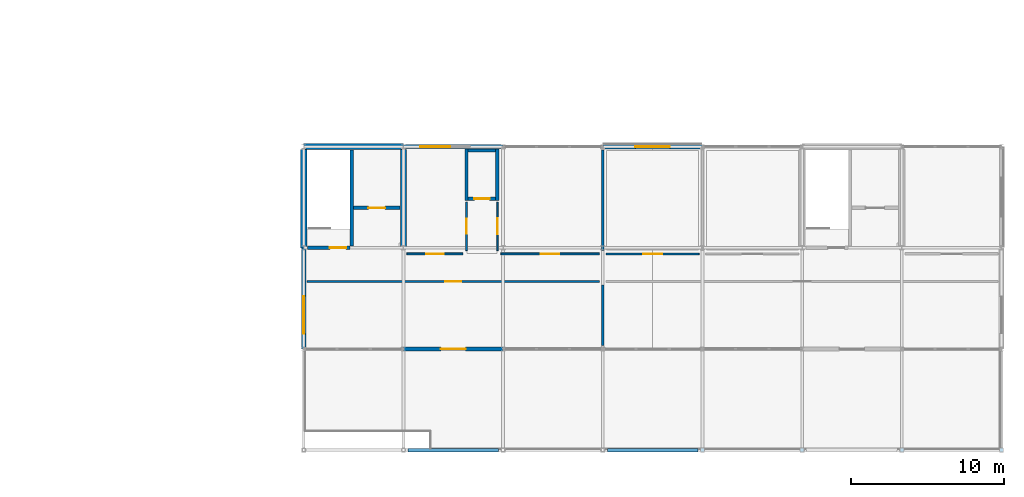
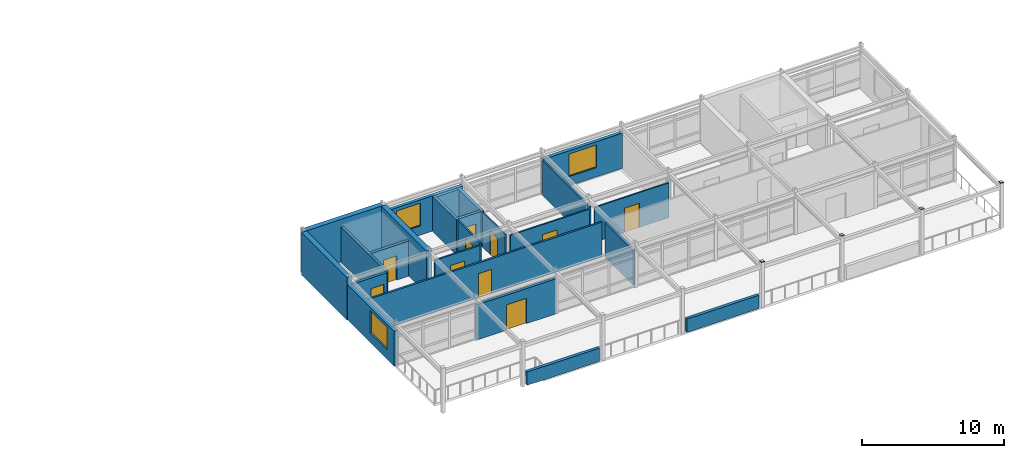
# One storey, part 15 of 20: 24 walls, 10 doors, 4 plates, 3 windows, 13 openings.
"""IFC4 building model written with IfcOpenShell, lengths in metres."""

from ifc_helpers import new_model, si_unit, direction, frame, frame_2d, origin, origin_2d, place, context, subcontext, project, spatial, rectangle, extrude, material, layer, layer_set, type_object, element, fill, save


model = new_model("IFC4")

# Units and contexts
model_context = context("Model", 3, precision=1e-05, world=origin(), true_north=direction((0.0, 1.0)))
body_context = subcontext(model_context, "Body", "Model", "MODEL_VIEW")
ifc_project = project(units=[si_unit("LENGTHUNIT", "METRE"), si_unit("AREAUNIT", "SQUARE_METRE"), si_unit("VOLUMEUNIT", "CUBIC_METRE"), si_unit("PLANEANGLEUNIT", "RADIAN"), si_unit("MASSUNIT", "GRAM", prefix="KILO")], contexts=[model_context])

# Site, building, storey
site_placement = place(None, origin())
site = spatial("IfcSite", under=ifc_project, at=site_placement, CompositionType="ELEMENT")
building_placement = place(site_placement, origin())
building = spatial("IfcBuilding", under=site, at=building_placement, Name="Trelmorton Wharf Fire Station", CompositionType="ELEMENT")
storey_placement = place(building_placement, frame((0.0, 0.0, 21.300048828125)))
storey = spatial("IfcBuildingStorey", under=building, at=storey_placement, Name="L05", CompositionType="ELEMENT", Elevation=21.300048828125)

# Plates
ifc_material_1 = material(Name="Steel Grade 350", Category="steel")
ifc_layer_1 = layer(ifc_material_1, 0.02001953125)
ifc_layer_set_1 = layer_set([ifc_layer_1], Name="Steel Grade 350")
plate_type = type_object("IfcPlateType", Name="PL_ENDCAP_20", PredefinedType="SHEET", material=ifc_layer_set_1)
for number, where, z_axis, x_axis, name in (
    (1, (136.5, 7.800048828125, 3.89794921875), (0.0, 0.0, 1.0), (1.0, 0.0, 0.0), "PL-COLCAP-T-0778"),
    (2, (143.0, 7.800048828125, 3.89794921875), (0.0, 0.0, 1.0), (1.0, 0.0, 0.0), "PL-COLCAP-T-0782"),
    (3, (149.5, 7.800048828125, 3.89794921875), (0.0, 0.0, 1.0), (1.0, 0.0, 0.0), "PL-COLCAP-T-0786"),
    (4, (156.0, 7.800048828125, 3.89794921875), (0.0, 0.0, 1.0), (1.0, 0.0, 0.0), "PL-COLCAP-T-0790"),
):
    element("IfcPlate", number, at=place(storey_placement, frame(where, z_axis=z_axis, x_axis=x_axis)), inside=storey, type_object=plate_type, Name=name, PredefinedType="SHEET", context=body_context, shape_type="SweptSolid", body=[
        extrude(rectangle(XDim=0.27001953125, YDim=0.27001953125, at=origin_2d()), origin(), (0.0, 0.0, 1.0), 0.02392578125),
    ])

# Walls
ifc_material_2 = material(Name="Signal-red architectural steel Grade 350", Category="steel")
ifc_layer_2 = layer(ifc_material_2, 0.239990234375)
ifc_layer_set_2 = layer_set([ifc_layer_2], Name="Signal-red architectural steel Grade 350")
wall_type_1 = type_object("IfcWallType", Name="EW_PARA_RED", PredefinedType="PARAPET", material=ifc_layer_set_2)
for number, where, z_axis, x_axis, name in (
    (5, (123.199951171875, 7.800048828125, 0.0), (0.0, 0.0, 1.0), (-1.0, 0.0, 0.0), "WL-PARA-NOTCH-01"),
    (6, (136.199951171875, 7.800048828125, 0.0), (0.0, 0.0, 1.0), (-1.0, 0.0, 0.0), "WL-PARA-NOTCH-02"),
):
    element("IfcWall", number, at=place(storey_placement, frame(where, z_axis=z_axis, x_axis=x_axis)), inside=storey, type_object=wall_type_1, Name=name, PredefinedType="PARAPET", context=body_context, shape_type="SweptSolid", body=[
        extrude(rectangle(XDim=5.89990234375, YDim=0.239990234375, at=frame_2d((2.949951171875, 0.0))), origin(), (0.0, 0.0, 1.0), 1.14990234375),
    ])

# Wall, opening, door
ifc_material_3 = material(Name="Precast concrete 45 MPa", Category="concrete")
ifc_layer_3 = layer(ifc_material_3, 0.22998046875)
ifc_layer_set_3 = layer_set([ifc_layer_3], Name="Precast concrete 45 MPa")
wall_type_2 = type_object("IfcWallType", Name="EW_PREC_230", PredefinedType="SOLIDWALL", material=ifc_layer_set_3)
wall_1_placement = place(storey_placement, frame((123.4951171875, 14.39990234375, 0.0), z_axis=(0.0, 0.0, 1.0), x_axis=(-1.0, 0.0, 0.0)))
wall_1 = element("IfcWall", 7, at=wall_1_placement, inside=storey, type_object=wall_type_2, Name="EW-V5-L05-0114", PredefinedType="SOLIDWALL", context=body_context, shape_type="SweptSolid", body=[
    extrude(rectangle(XDim=6.490234375, YDim=0.22998046875, at=frame_2d((3.2451171875, 0.0))), origin(), (0.0, 0.0, 1.0), 3.02001953125),
])
opening_1_placement = place(wall_1_placement, frame((2.43505859375, 0.0, 0.0)))
opening_1 = element("IfcOpeningElement", 8, at=opening_1_placement, cuts=wall_1, Name="Opening TD-019", PredefinedType="OPENING", context=body_context, shape_type="SweptSolid", body=[
    extrude(rectangle(XDim=1.6201171875, YDim=2.179931640625, at=frame_2d((0.81005859375, 1.08984375))), frame((0.0, 0.125, 0.0), z_axis=(0.0, -1.0, 0.0), x_axis=(1.0, 0.0, 0.0)), (0.0, 0.0, 1.0), 0.25),
])
ifc_material_4 = material(Name="Anodised aluminium AW-6063", Category="aluminium")
door_type_1 = type_object("IfcDoorType", Name="DR_TER_DBL_162", OperationType="DOUBLE_DOOR_SINGLE_SWING", PredefinedType="DOOR", material=ifc_material_4)
door_1_placement = place(opening_1_placement, origin())
door_1 = element("IfcDoor", 9, at=door_1_placement, inside=storey, type_object=door_type_1, Name="Terrace Door TD-019", OperationType="DOUBLE_DOOR_SINGLE_SWING", OverallHeight=2.179931640625, OverallWidth=1.6201171875, PredefinedType="DOOR", context=body_context, shape_type="SweptSolid", body=[
    extrude(rectangle(XDim=1.6201171875, YDim=2.179931640625, at=frame_2d((0.81005859375, 1.08984375))), frame((0.0, 0.02490234375, 0.0), z_axis=(0.0, -1.0, 0.0), x_axis=(1.0, 0.0, 0.0)), (0.0, 0.0, 1.0), 0.050048828125),
])
fill(opening_1, door_1)

# Wall, opening, window
ifc_layer_4 = layer(ifc_material_3, 0.27001953125)
ifc_layer_set_4 = layer_set([ifc_layer_4], Name="Precast concrete 45 MPa")
wall_type_3 = type_object("IfcWallType", Name="EW_PREC_270", PredefinedType="SOLIDWALL", material=ifc_layer_set_4)
wall_2_placement = place(storey_placement, frame((117.0048828125, 27.60009765625, 0.0), z_axis=(0.0, 0.0, 1.0), x_axis=(1.0, 0.0, 0.0)))
wall_2 = element("IfcWall", 10, at=wall_2_placement, inside=storey, type_object=wall_type_3, Name="EW-V5-L05-0116", PredefinedType="SOLIDWALL", context=body_context, shape_type="SweptSolid", body=[
    extrude(rectangle(XDim=6.490234375, YDim=0.27001953125, at=frame_2d((3.2451171875, 0.0))), origin(), (0.0, 0.0, 1.0), 3.02001953125),
])
opening_2_placement = place(wall_2_placement, frame((1.08740234375, 0.0, 0.800048828125)))
opening_2 = element("IfcOpeningElement", 11, at=opening_2_placement, cuts=wall_2, Name="Opening W46", PredefinedType="OPENING", context=body_context, shape_type="SweptSolid", body=[
    extrude(rectangle(XDim=1.949951171875, YDim=1.949951171875, at=frame_2d((0.97509765625, 0.97509765625))), frame((0.0, 0.14501953125, 0.0), z_axis=(0.0, -1.0, 0.0), x_axis=(1.0, 0.0, 0.0)), (0.0, 0.0, 1.0), 0.2900390625),
])
ifc_material_5 = material(Name="Tempered low-E double glazing", Category="glass")
window_type_1 = type_object("IfcWindowType", Name="WIN_W46", PartitioningType="DOUBLE_PANEL_VERTICAL", PredefinedType="WINDOW", material=ifc_material_5)
window_1_placement = place(opening_2_placement, origin())
window_1 = element("IfcWindow", 12, at=window_1_placement, inside=storey, type_object=window_type_1, Name="WN-V5-L05-0060", OverallHeight=1.949951171875, OverallWidth=1.949951171875, PartitioningType="DOUBLE_PANEL_VERTICAL", PredefinedType="WINDOW", context=body_context, shape_type="SweptSolid", body=[
    extrude(rectangle(XDim=1.949951171875, YDim=1.949951171875, at=frame_2d((0.97509765625, 0.97509765625))), frame((0.0, 0.030029296875, 0.0), z_axis=(0.0, -1.0, 0.0), x_axis=(1.0, 0.0, 0.0)), (0.0, 0.0, 1.0), 0.06005859375),
])
fill(opening_2, window_1)

ifc_layer_5 = layer(ifc_material_3, 0.2900390625)
ifc_layer_set_5 = layer_set([ifc_layer_5], Name="Precast concrete 45 MPa")
wall_type_4 = type_object("IfcWallType", Name="EW_TERR_290", PredefinedType="SOLIDWALL", material=ifc_layer_set_5)
wall_3_placement = place(storey_placement, frame((130.0048828125, 27.60009765625, 0.0), z_axis=(0.0, 0.0, 1.0), x_axis=(1.0, 0.0, 0.0)))
wall_3 = element("IfcWall", 13, at=wall_3_placement, inside=storey, type_object=wall_type_4, Name="EW-V5-L05-0117", PredefinedType="SOLIDWALL", context=body_context, shape_type="SweptSolid", body=[
    extrude(rectangle(XDim=6.490234375, YDim=0.2900390625, at=frame_2d((3.2451171875, 0.0))), origin(), (0.0, 0.0, 1.0), 3.02001953125),
])
opening_3_placement = place(wall_3_placement, frame((2.1201171875, 0.0, 0.800048828125)))
opening_3 = element("IfcOpeningElement", 14, at=opening_3_placement, cuts=wall_3, Name="Opening W47", PredefinedType="OPENING", context=body_context, shape_type="SweptSolid", body=[
    extrude(rectangle(XDim=2.25, YDim=1.949951171875, at=frame_2d((1.125, 0.97509765625))), frame((0.0, 0.155029296875, 0.0), z_axis=(0.0, -1.0, 0.0), x_axis=(1.0, 0.0, 0.0)), (0.0, 0.0, 1.0), 0.31005859375),
])
window_type_2 = type_object("IfcWindowType", Name="WIN_W47", PartitioningType="DOUBLE_PANEL_VERTICAL", PredefinedType="WINDOW", material=ifc_material_5)
window_2_placement = place(opening_3_placement, origin())
window_2 = element("IfcWindow", 15, at=window_2_placement, inside=storey, type_object=window_type_2, Name="WN-V5-L05-0061", OverallHeight=1.949951171875, OverallWidth=2.25, PartitioningType="DOUBLE_PANEL_VERTICAL", PredefinedType="WINDOW", context=body_context, shape_type="SweptSolid", body=[
    extrude(rectangle(XDim=2.25, YDim=1.949951171875, at=frame_2d((1.125, 0.97509765625))), frame((0.0, 0.030029296875, 0.0), z_axis=(0.0, -1.0, 0.0), x_axis=(1.0, 0.0, 0.0)), (0.0, 0.0, 1.0), 0.06005859375),
])
fill(opening_3, window_2)

ifc_layer_6 = layer(ifc_material_3, 0.31005859375)
ifc_layer_set_6 = layer_set([ifc_layer_6], Name="Precast concrete 45 MPa")
wall_type_5 = type_object("IfcWallType", Name="EW_TERR_310", PredefinedType="SOLIDWALL", material=ifc_layer_set_6)
wall_4_placement = place(storey_placement, frame((110.5, 14.405029296875, 0.0), z_axis=(0.0, 0.0, 1.0), x_axis=(0.0, 1.0, 0.0)))
wall_4 = element("IfcWall", 16, at=wall_4_placement, inside=storey, type_object=wall_type_5, Name="EW-V5-L05-0118", PredefinedType="SOLIDWALL", context=body_context, shape_type="SweptSolid", body=[
    extrude(rectangle(XDim=6.590087890625, YDim=0.31005859375, at=frame_2d((3.294921875, 0.0))), origin(), (0.0, 0.0, 1.0), 3.02001953125),
])
opening_4_placement = place(wall_4_placement, frame((0.987548828125, 0.0, 0.800048828125)))
opening_4 = element("IfcOpeningElement", 17, at=opening_4_placement, cuts=wall_4, Name="Opening W48", PredefinedType="OPENING", context=body_context, shape_type="SweptSolid", body=[
    extrude(rectangle(XDim=2.449951171875, YDim=1.949951171875, at=frame_2d((1.22509765625, 0.97509765625))), frame((0.0, 0.1650390625, 0.0), z_axis=(0.0, -1.0, 0.0), x_axis=(1.0, 0.0, 0.0)), (0.0, 0.0, 1.0), 0.330078125),
])
window_type_3 = type_object("IfcWindowType", Name="WIN_W48", PartitioningType="TRIPLE_PANEL_VERTICAL", PredefinedType="WINDOW", material=ifc_material_5)
window_3_placement = place(opening_4_placement, origin())
window_3 = element("IfcWindow", 18, at=window_3_placement, inside=storey, type_object=window_type_3, Name="WN-V5-L05-0062", OverallHeight=1.949951171875, OverallWidth=2.449951171875, PartitioningType="TRIPLE_PANEL_VERTICAL", PredefinedType="WINDOW", context=body_context, shape_type="SweptSolid", body=[
    extrude(rectangle(XDim=2.449951171875, YDim=1.949951171875, at=frame_2d((1.22509765625, 0.97509765625))), frame((0.0, 0.030029296875, 0.0), z_axis=(0.0, -1.0, 0.0), x_axis=(1.0, 0.0, 0.0)), (0.0, 0.0, 1.0), 0.06005859375),
])
fill(opening_4, window_3)

# Wall, opening, door
ifc_material_6 = material(Name="Gypsum plasterboard partition")
ifc_layer_7 = layer(ifc_material_6, 0.14990234375)
ifc_layer_set_7 = layer_set([ifc_layer_7], Name="Gypsum plasterboard partition")
wall_type_6 = type_object("IfcWallType", Name="IW_ACOU_150", PredefinedType="PARTITIONING", material=ifc_layer_set_7)
wall_5_placement = place(storey_placement, frame((110.719970703125, 18.800048828125, 0.0), z_axis=(0.0, 0.0, 1.0), x_axis=(1.0, 0.0, 0.0)))
wall_5 = element("IfcWall", 19, at=wall_5_placement, inside=storey, type_object=wall_type_6, Name="IW-L05-0247", PredefinedType="PARTITIONING", context=body_context, shape_type="SweptSolid", body=[
    extrude(rectangle(XDim=19.06005859375, YDim=0.14990234375, at=frame_2d((9.530029296875, 0.0))), origin(), (0.0, 0.0, 1.0), 3.0),
])
opening_5_placement = place(wall_5_placement, frame((8.9951171875, 0.0, 0.0)))
opening_5 = element("IfcOpeningElement", 20, at=opening_5_placement, cuts=wall_5, Name="Opening D-167", PredefinedType="OPENING", context=body_context, shape_type="SweptSolid", body=[
    extrude(rectangle(XDim=1.070068359375, YDim=2.080078125, at=frame_2d((0.53515625, 1.0400390625))), frame((0.0, 0.0849609375, 0.0), z_axis=(0.0, -1.0, 0.0), x_axis=(1.0, 0.0, 0.0)), (0.0, 0.0, 1.0), 0.169921875),
])
ifc_material_7 = material(Name="Acoustic timber panelling", Category="wood")
door_type_2 = type_object("IfcDoorType", Name="DR_INT_107", OperationType="NOTDEFINED", PredefinedType="DOOR", material=ifc_material_7)
door_2_placement = place(opening_5_placement, origin())
door_2 = element("IfcDoor", 21, at=door_2_placement, inside=storey, type_object=door_type_2, Name="Interior Door D-167", OperationType="SINGLE_SWING_LEFT", OverallHeight=2.080078125, OverallWidth=1.070068359375, PredefinedType="DOOR", context=body_context, shape_type="SweptSolid", body=[
    extrude(rectangle(XDim=1.070068359375, YDim=2.080078125, at=frame_2d((0.53515625, 1.0400390625))), frame((0.0, 0.02490234375, 0.0), z_axis=(0.0, -1.0, 0.0), x_axis=(1.0, 0.0, 0.0)), (0.0, 0.0, 1.0), 0.050048828125),
])
fill(opening_5, door_2)

# Walls
wall_6_placement = place(storey_placement, frame((130.0, 20.820068359375, 0.0), z_axis=(0.0, 0.0, 1.0), x_axis=(0.0, 1.0, 0.0)))
element("IfcWall", 22, at=wall_6_placement, inside=storey, type_object=wall_type_6, Name="IW-L05-0254", PredefinedType="PARTITIONING", context=body_context, shape_type="SweptSolid", body=[
    extrude(rectangle(XDim=6.559814453125, YDim=0.14990234375, at=frame_2d((3.27978515625, 0.0))), origin(), (0.0, 0.0, 1.0), 3.0),
])
ifc_layer_8 = layer(ifc_material_6, 0.159912109375)
ifc_layer_set_8 = layer_set([ifc_layer_8], Name="Gypsum plasterboard partition")
wall_type_7 = type_object("IfcWallType", Name="IW_ACOU_160", PredefinedType="PARTITIONING", material=ifc_layer_set_8)
wall_7_placement = place(storey_placement, frame((130.0, 14.6201171875, 0.0), z_axis=(0.0, 0.0, 1.0), x_axis=(0.0, 1.0, 0.0)))
element("IfcWall", 23, at=wall_7_placement, inside=storey, type_object=wall_type_7, Name="IW-L05-0246", PredefinedType="PARTITIONING", context=body_context, shape_type="SweptSolid", body=[
    extrude(rectangle(XDim=3.9599609375, YDim=0.159912109375, at=frame_2d((1.97998046875, 0.0))), origin(), (0.0, 0.0, 1.0), 3.0),
])
ifc_material_8 = material(Name="Concrete 40 MPa", Category="concrete")
ifc_layer_9 = layer(ifc_material_8, 0.219970703125)
ifc_layer_set_9 = layer_set([ifc_layer_9], Name="Concrete 40 MPa")
wall_type_8 = type_object("IfcWallType", Name="IW_CORE_220", PredefinedType="SOLIDWALL", material=ifc_layer_set_9)
wall_8_placement = place(storey_placement, frame((113.6201171875, 21.1201171875, 0.0), z_axis=(0.0, 0.0, 1.0), x_axis=(0.0, 1.0, 0.0)))
element("IfcWall", 24, at=wall_8_placement, inside=storey, type_object=wall_type_8, Name="IW-C3-DIV-L05", PredefinedType="SOLIDWALL", context=body_context, shape_type="SweptSolid", body=[
    extrude(rectangle(XDim=6.2548828125, YDim=0.219970703125, at=frame_2d((3.12744140625, 0.0))), origin(), (0.0, 0.0, 1.0), 3.02001953125),
])

# Wall, opening, door
wall_9_placement = place(storey_placement, frame((110.760009765625, 21.0, 0.0), z_axis=(0.0, 0.0, 1.0), x_axis=(1.0, 0.0, 0.0)))
wall_9 = element("IfcWall", 25, at=wall_9_placement, inside=storey, type_object=wall_type_8, Name="IW-C3-SF-L05", PredefinedType="SOLIDWALL", context=body_context, shape_type="SweptSolid", body=[
    extrude(rectangle(XDim=2.739990234375, YDim=0.219970703125, at=frame_2d((1.3701171875, 0.0))), origin(), (0.0, 0.0, 1.0), 3.02001953125),
])
opening_6_placement = place(wall_9_placement, frame((1.43994140625, 0.0, 0.0)))
opening_6 = element("IfcOpeningElement", 26, at=opening_6_placement, cuts=wall_9, Name="Opening FD-016", PredefinedType="OPENING", context=body_context, shape_type="SweptSolid", body=[
    extrude(rectangle(XDim=1.06005859375, YDim=2.10009765625, at=frame_2d((0.530029296875, 1.050048828125))), frame((0.0, 0.1201171875, 0.0), z_axis=(0.0, -1.0, 0.0), x_axis=(1.0, 0.0, 0.0)), (0.0, 0.0, 1.0), 0.239990234375),
])
ifc_material_9 = material(Name="Stainless steel 316 marine grade", Category="steel")
door_type_3 = type_object("IfcDoorType", Name="DR_FIRE_106", OperationType="NOTDEFINED", PredefinedType="DOOR", material=ifc_material_9)
door_3_placement = place(opening_6_placement, origin())
door_3 = element("IfcDoor", 27, at=door_3_placement, inside=storey, type_object=door_type_3, Name="Stair Fire Door FD-016", OperationType="SINGLE_SWING_LEFT", OverallHeight=2.10009765625, OverallWidth=1.06005859375, PredefinedType="DOOR", context=body_context, shape_type="SweptSolid", body=[
    extrude(rectangle(XDim=1.06005859375, YDim=2.10009765625, at=frame_2d((0.530029296875, 1.050048828125))), frame((0.0, 0.02490234375, 0.0), z_axis=(0.0, -1.0, 0.0), x_axis=(1.0, 0.0, 0.0)), (0.0, 0.0, 1.0), 0.050048828125),
])
fill(opening_6, door_3)

wall_10_placement = place(storey_placement, frame((113.739990234375, 23.60009765625, 0.0), z_axis=(0.0, 0.0, 1.0), x_axis=(1.0, 0.0, 0.0)))
wall_10 = element("IfcWall", 28, at=wall_10_placement, inside=storey, type_object=wall_type_8, Name="IW-C3-LSH-L05", PredefinedType="SOLIDWALL", context=body_context, shape_type="SweptSolid", body=[
    extrude(rectangle(XDim=3.034912109375, YDim=0.219970703125, at=frame_2d((1.517578125, 0.0))), origin(), (0.0, 0.0, 1.0), 3.02001953125),
])
opening_7_placement = place(wall_10_placement, frame((0.967529296875, 0.0, 0.0)))
opening_7 = element("IfcOpeningElement", 29, at=opening_7_placement, cuts=wall_10, Name="Opening LD-015", PredefinedType="OPENING", context=body_context, shape_type="SweptSolid", body=[
    extrude(rectangle(XDim=1.10009765625, YDim=2.10009765625, at=frame_2d((0.550048828125, 1.050048828125))), frame((0.0, 0.1201171875, 0.0), z_axis=(0.0, -1.0, 0.0), x_axis=(1.0, 0.0, 0.0)), (0.0, 0.0, 1.0), 0.239990234375),
])
door_type_4 = type_object("IfcDoorType", Name="DR_LIFT_110", OperationType="DOUBLE_DOOR_SLIDING", PredefinedType="DOOR", material=ifc_material_9)
door_4_placement = place(opening_7_placement, origin())
door_4 = element("IfcDoor", 30, at=door_4_placement, inside=storey, type_object=door_type_4, Name="Lift Landing Door LD-015", OperationType="DOUBLE_DOOR_SLIDING", OverallHeight=2.10009765625, OverallWidth=1.10009765625, PredefinedType="DOOR", context=body_context, shape_type="SweptSolid", body=[
    extrude(rectangle(XDim=1.10009765625, YDim=2.10009765625, at=frame_2d((0.550048828125, 1.050048828125))), frame((0.0, 0.02490234375, 0.0), z_axis=(0.0, -1.0, 0.0), x_axis=(1.0, 0.0, 0.0)), (0.0, 0.0, 1.0), 0.050048828125),
])
fill(opening_7, door_4)

# Walls
for number, where, z_axis, x_axis, name in (
    (31, (121.110107421875, 24.090087890625, 0.0), (0.0, 0.0, 1.0), (0.0, 1.0, 0.0), "IW-LF3-W-L05"),
    (32, (123.1298828125, 24.090087890625, 0.0), (0.0, 0.0, 1.0), (0.0, 1.0, 0.0), "IW-LF3-E-L05"),
):
    element("IfcWall", number, at=place(storey_placement, frame(where, z_axis=z_axis, x_axis=x_axis)), inside=storey, type_object=wall_type_8, Name=name, PredefinedType="SOLIDWALL", context=body_context, shape_type="SweptSolid", body=[
        extrude(rectangle(XDim=3.35986328125, YDim=0.219970703125, at=frame_2d((1.679931640625, 0.0))), origin(), (0.0, 0.0, 1.0), 3.02001953125),
    ])
wall_11_placement = place(storey_placement, frame((121.219970703125, 27.340087890625, 0.0), z_axis=(0.0, 0.0, 1.0), x_axis=(1.0, 0.0, 0.0)))
element("IfcWall", 33, at=wall_11_placement, inside=storey, type_object=wall_type_8, Name="IW-LF3-N-L05", PredefinedType="SOLIDWALL", context=body_context, shape_type="SweptSolid", body=[
    extrude(rectangle(XDim=1.800048828125, YDim=0.219970703125, at=frame_2d((0.89990234375, 0.0))), origin(), (0.0, 0.0, 1.0), 3.02001953125),
])

# Wall, opening, door
wall_12_placement = place(storey_placement, frame((121.219970703125, 24.199951171875, 0.0), z_axis=(0.0, 0.0, 1.0), x_axis=(1.0, 0.0, 0.0)))
wall_12 = element("IfcWall", 34, at=wall_12_placement, inside=storey, type_object=wall_type_8, Name="IW-LF3-S-L05", PredefinedType="SOLIDWALL", context=body_context, shape_type="SweptSolid", body=[
    extrude(rectangle(XDim=1.800048828125, YDim=0.219970703125, at=frame_2d((0.89990234375, 0.0))), origin(), (0.0, 0.0, 1.0), 3.02001953125),
])
opening_8_placement = place(wall_12_placement, frame((0.39990234375, 0.0, 0.0)))
opening_8 = element("IfcOpeningElement", 35, at=opening_8_placement, cuts=wall_12, Name="Opening LD-016", PredefinedType="OPENING", context=body_context, shape_type="SweptSolid", body=[
    extrude(rectangle(XDim=1.0, YDim=2.10009765625, at=frame_2d((0.5, 1.050048828125))), frame((0.0, 0.1201171875, 0.0), z_axis=(0.0, -1.0, 0.0), x_axis=(1.0, 0.0, 0.0)), (0.0, 0.0, 1.0), 0.239990234375),
])
door_type_5 = type_object("IfcDoorType", Name="DR_LIFT_100", OperationType="DOUBLE_DOOR_SLIDING", PredefinedType="DOOR", material=ifc_material_9)
door_5_placement = place(opening_8_placement, origin())
door_5 = element("IfcDoor", 36, at=door_5_placement, inside=storey, type_object=door_type_5, Name="Lift Landing Door LD-016", OperationType="DOUBLE_DOOR_SLIDING", OverallHeight=2.10009765625, OverallWidth=1.0, PredefinedType="DOOR", context=body_context, shape_type="SweptSolid", body=[
    extrude(rectangle(XDim=1.0, YDim=2.10009765625, at=frame_2d((0.5, 1.050048828125))), frame((0.0, 0.02490234375, 0.0), z_axis=(0.0, -1.0, 0.0), x_axis=(1.0, 0.0, 0.0)), (0.0, 0.0, 1.0), 0.050048828125),
])
fill(opening_8, door_5)

ifc_layer_10 = layer(ifc_material_6, 0.10009765625)
ifc_layer_set_10 = layer_set([ifc_layer_10], Name="Gypsum plasterboard partition")
wall_type_9 = type_object("IfcWallType", Name="IW_PART_100", PredefinedType="PARTITIONING", material=ifc_layer_set_10)
wall_13_placement = place(storey_placement, frame((123.1298828125, 20.820068359375, 0.0), z_axis=(0.0, 0.0, 1.0), x_axis=(0.0, 1.0, 0.0)))
wall_13 = element("IfcWall", 37, at=wall_13_placement, inside=storey, type_object=wall_type_9, Name="IW-L05-0245", PredefinedType="PARTITIONING", context=body_context, shape_type="SweptSolid", body=[
    extrude(rectangle(XDim=3.159912109375, YDim=0.10009765625, at=frame_2d((1.580078125, 0.0))), origin(), (0.0, 0.0, 1.0), 3.0),
])
opening_9_placement = place(wall_13_placement, frame((1.06494140625, 0.0, 0.0)))
opening_9 = element("IfcOpeningElement", 38, at=opening_9_placement, cuts=wall_13, Name="Opening D-166", PredefinedType="OPENING", context=body_context, shape_type="SweptSolid", body=[
    extrude(rectangle(XDim=1.030029296875, YDim=2.06005859375, at=frame_2d((0.51513671875, 1.030029296875))), frame((0.0, 0.06005859375, 0.0), z_axis=(0.0, -1.0, 0.0), x_axis=(1.0, 0.0, 0.0)), (0.0, 0.0, 1.0), 0.1201171875),
])
door_type_6 = type_object("IfcDoorType", Name="DR_INT_103", OperationType="NOTDEFINED", PredefinedType="DOOR", material=ifc_material_7)
door_6_placement = place(opening_9_placement, origin())
door_6 = element("IfcDoor", 39, at=door_6_placement, inside=storey, type_object=door_type_6, Name="Interior Door D-166", OperationType="SINGLE_SWING_RIGHT", OverallHeight=2.06005859375, OverallWidth=1.030029296875, PredefinedType="DOOR", context=body_context, shape_type="SweptSolid", body=[
    extrude(rectangle(XDim=1.030029296875, YDim=2.06005859375, at=frame_2d((0.51513671875, 1.030029296875))), frame((0.0, 0.02490234375, 0.0), z_axis=(0.0, -1.0, 0.0), x_axis=(1.0, 0.0, 0.0)), (0.0, 0.0, 1.0), 0.050048828125),
])
fill(opening_9, door_6)

ifc_layer_11 = layer(ifc_material_6, 0.110107421875)
ifc_layer_set_11 = layer_set([ifc_layer_11], Name="Gypsum plasterboard partition")
wall_type_10 = type_object("IfcWallType", Name="IW_PART_110", PredefinedType="PARTITIONING", material=ifc_layer_set_11)
wall_14_placement = place(storey_placement, frame((121.110107421875, 20.820068359375, 0.0), z_axis=(0.0, 0.0, 1.0), x_axis=(0.0, 1.0, 0.0)))
wall_14 = element("IfcWall", 40, at=wall_14_placement, inside=storey, type_object=wall_type_10, Name="IW-L05-0244", PredefinedType="PARTITIONING", context=body_context, shape_type="SweptSolid", body=[
    extrude(rectangle(XDim=3.159912109375, YDim=0.110107421875, at=frame_2d((1.580078125, 0.0))), origin(), (0.0, 0.0, 1.0), 3.0),
])
opening_10_placement = place(wall_14_placement, frame((1.080078125, 0.0, 0.0)))
opening_10 = element("IfcOpeningElement", 41, at=opening_10_placement, cuts=wall_14, Name="Opening D-165", PredefinedType="OPENING", context=body_context, shape_type="SweptSolid", body=[
    extrude(rectangle(XDim=1.0, YDim=2.1201171875, at=frame_2d((0.5, 1.06005859375))), frame((0.0, 0.06494140625, 0.0), z_axis=(0.0, -1.0, 0.0), x_axis=(1.0, 0.0, 0.0)), (0.0, 0.0, 1.0), 0.130126953125),
])
door_type_7 = type_object("IfcDoorType", Name="DR_INT_100", OperationType="NOTDEFINED", PredefinedType="DOOR", material=ifc_material_7)
door_7_placement = place(opening_10_placement, origin())
door_7 = element("IfcDoor", 42, at=door_7_placement, inside=storey, type_object=door_type_7, Name="Interior Door D-165", OperationType="SINGLE_SWING_LEFT", OverallHeight=2.1201171875, OverallWidth=1.0, PredefinedType="DOOR", context=body_context, shape_type="SweptSolid", body=[
    extrude(rectangle(XDim=1.0, YDim=2.1201171875, at=frame_2d((0.5, 1.06005859375))), frame((0.0, 0.02490234375, 0.0), z_axis=(0.0, -1.0, 0.0), x_axis=(1.0, 0.0, 0.0)), (0.0, 0.0, 1.0), 0.050048828125),
])
fill(opening_10, door_7)

wall_15_placement = place(storey_placement, frame((130.219970703125, 20.60009765625, 0.0), z_axis=(0.0, 0.0, 1.0), x_axis=(1.0, 0.0, 0.0)))
wall_15 = element("IfcWall", 43, at=wall_15_placement, inside=storey, type_object=wall_type_10, Name="IW-L05-0251", PredefinedType="PARTITIONING", context=body_context, shape_type="SweptSolid", body=[
    extrude(rectangle(XDim=6.06005859375, YDim=0.110107421875, at=frame_2d((3.030029296875, 0.0))), origin(), (0.0, 0.0, 1.0), 3.0),
])
opening_11_placement = place(wall_15_placement, frame((2.4150390625, 0.0, 0.0)))
opening_11 = element("IfcOpeningElement", 44, at=opening_11_placement, cuts=wall_15, Name="Opening D-171", PredefinedType="OPENING", context=body_context, shape_type="SweptSolid", body=[
    extrude(rectangle(XDim=1.22998046875, YDim=2.080078125, at=frame_2d((0.614990234375, 1.0400390625))), frame((0.0, 0.06494140625, 0.0), z_axis=(0.0, -1.0, 0.0), x_axis=(1.0, 0.0, 0.0)), (0.0, 0.0, 1.0), 0.130126953125),
])
door_type_8 = type_object("IfcDoorType", Name="DR_INT_123", OperationType="NOTDEFINED", PredefinedType="DOOR", material=ifc_material_7)
door_8_placement = place(opening_11_placement, origin())
door_8 = element("IfcDoor", 45, at=door_8_placement, inside=storey, type_object=door_type_8, Name="Interior Door D-171", OperationType="SINGLE_SWING_LEFT", OverallHeight=2.080078125, OverallWidth=1.22998046875, PredefinedType="DOOR", context=body_context, shape_type="SweptSolid", body=[
    extrude(rectangle(XDim=1.22998046875, YDim=2.080078125, at=frame_2d((0.614990234375, 1.0400390625))), frame((0.0, 0.02490234375, 0.0), z_axis=(0.0, -1.0, 0.0), x_axis=(1.0, 0.0, 0.0)), (0.0, 0.0, 1.0), 0.050048828125),
])
fill(opening_11, door_8)

ifc_layer_12 = layer(ifc_material_6, 0.1298828125)
ifc_layer_set_12 = layer_set([ifc_layer_12], Name="Gypsum plasterboard partition")
wall_type_11 = type_object("IfcWallType", Name="IW_PART_130", PredefinedType="PARTITIONING", material=ifc_layer_set_12)
wall_16_placement = place(storey_placement, frame((117.219970703125, 20.60009765625, 0.0), z_axis=(0.0, 0.0, 1.0), x_axis=(1.0, 0.0, 0.0)))
wall_16 = element("IfcWall", 46, at=wall_16_placement, inside=storey, type_object=wall_type_11, Name="IW-L05-0249", PredefinedType="PARTITIONING", context=body_context, shape_type="SweptSolid", body=[
    extrude(rectangle(XDim=3.659912109375, YDim=0.1298828125, at=frame_2d((1.830078125, 0.0))), origin(), (0.0, 0.0, 1.0), 3.0),
])
opening_12_placement = place(wall_16_placement, frame((1.2548828125, 0.0, 0.0)))
opening_12 = element("IfcOpeningElement", 47, at=opening_12_placement, cuts=wall_16, Name="Opening D-169", PredefinedType="OPENING", context=body_context, shape_type="SweptSolid", body=[
    extrude(rectangle(XDim=1.14990234375, YDim=2.1201171875, at=frame_2d((0.574951171875, 1.06005859375))), frame((0.0, 0.074951171875, 0.0), z_axis=(0.0, -1.0, 0.0), x_axis=(1.0, 0.0, 0.0)), (0.0, 0.0, 1.0), 0.14990234375),
])
door_type_9 = type_object("IfcDoorType", Name="DR_INT_115", OperationType="NOTDEFINED", PredefinedType="DOOR", material=ifc_material_7)
door_9_placement = place(opening_12_placement, origin())
door_9 = element("IfcDoor", 48, at=door_9_placement, inside=storey, type_object=door_type_9, Name="Interior Door D-169", OperationType="SINGLE_SWING_LEFT", OverallHeight=2.1201171875, OverallWidth=1.14990234375, PredefinedType="DOOR", context=body_context, shape_type="SweptSolid", body=[
    extrude(rectangle(XDim=1.14990234375, YDim=2.1201171875, at=frame_2d((0.574951171875, 1.06005859375))), frame((0.0, 0.02490234375, 0.0), z_axis=(0.0, -1.0, 0.0), x_axis=(1.0, 0.0, 0.0)), (0.0, 0.0, 1.0), 0.050048828125),
])
fill(opening_12, door_9)

ifc_layer_13 = layer(ifc_material_6, 0.1201171875)
ifc_layer_set_13 = layer_set([ifc_layer_13], Name="Gypsum plasterboard partition")
wall_type_12 = type_object("IfcWallType", Name="IW_WET_120", PredefinedType="PARTITIONING", material=ifc_layer_set_13)
wall_17_placement = place(storey_placement, frame((123.35009765625, 20.60009765625, 0.0), z_axis=(0.0, 0.0, 1.0), x_axis=(1.0, 0.0, 0.0)))
wall_17 = element("IfcWall", 49, at=wall_17_placement, inside=storey, type_object=wall_type_12, Name="IW-L05-0250", PredefinedType="PARTITIONING", context=body_context, shape_type="SweptSolid", body=[
    extrude(rectangle(XDim=6.429931640625, YDim=0.1201171875, at=frame_2d((3.21484375, 0.0))), origin(), (0.0, 0.0, 1.0), 3.0),
])
opening_13_placement = place(wall_17_placement, frame((2.6201171875, 0.0, 0.0)))
opening_13 = element("IfcOpeningElement", 50, at=opening_13_placement, cuts=wall_17, Name="Opening D-170", PredefinedType="OPENING", context=body_context, shape_type="SweptSolid", body=[
    extrude(rectangle(XDim=1.18994140625, YDim=2.139892578125, at=frame_2d((0.594970703125, 1.06982421875))), frame((0.0, 0.070068359375, 0.0), z_axis=(0.0, -1.0, 0.0), x_axis=(1.0, 0.0, 0.0)), (0.0, 0.0, 1.0), 0.14013671875),
])
door_type_10 = type_object("IfcDoorType", Name="DR_INT_119", OperationType="NOTDEFINED", PredefinedType="DOOR", material=ifc_material_7)
door_10_placement = place(opening_13_placement, origin())
door_10 = element("IfcDoor", 51, at=door_10_placement, inside=storey, type_object=door_type_10, Name="Interior Door D-170", OperationType="SINGLE_SWING_RIGHT", OverallHeight=2.139892578125, OverallWidth=1.18994140625, PredefinedType="DOOR", context=body_context, shape_type="SweptSolid", body=[
    extrude(rectangle(XDim=1.18994140625, YDim=2.139892578125, at=frame_2d((0.594970703125, 1.06982421875))), frame((0.0, 0.02490234375, 0.0), z_axis=(0.0, -1.0, 0.0), x_axis=(1.0, 0.0, 0.0)), (0.0, 0.0, 1.0), 0.050048828125),
])
fill(opening_13, door_10)

# Walls
ifc_material_10 = material(Name="Concrete 50 MPa", Category="concrete")
ifc_layer_14 = layer(ifc_material_10, 0.39990234375)
ifc_layer_set_14 = layer_set([ifc_layer_14], Name="Concrete 50 MPa")
wall_type_13 = type_object("IfcWallType", Name="WL_CORE_400", PredefinedType="SHEAR", material=ifc_layer_set_14)
wall_18_placement = place(storey_placement, frame((110.5, 27.60009765625, 0.0), z_axis=(0.0, 0.0, 1.0), x_axis=(1.0, 0.0, 0.0)))
element("IfcWall", 52, at=wall_18_placement, inside=storey, type_object=wall_type_13, Name="WL-SW-C3-L05-046", PredefinedType="SHEAR", context=body_context, shape_type="SweptSolid", body=[
    extrude(rectangle(XDim=6.5, YDim=0.39990234375, at=frame_2d((3.25, 0.0))), origin(), (0.0, 0.0, 1.0), 3.659912109375),
])
for number, where, z_axis, x_axis, name in (
    (53, (110.5, 21.0, 0.0), (0.0, 0.0, 1.0), (0.0, 1.0, 0.0), "WL-SW-C3-L05-047"),
    (54, (117.0, 21.0, 0.0), (0.0, 0.0, 1.0), (0.0, 1.0, 0.0), "WL-SW-C3-L05-048"),
):
    element("IfcWall", number, at=place(storey_placement, frame(where, z_axis=z_axis, x_axis=x_axis)), inside=storey, type_object=wall_type_13, Name=name, PredefinedType="SHEAR", context=body_context, shape_type="SweptSolid", body=[
        extrude(rectangle(XDim=6.39990234375, YDim=0.39990234375, at=frame_2d((3.199951171875, 0.0))), origin(), (0.0, 0.0, 1.0), 3.659912109375),
    ])

save(model, "model.ifc")
